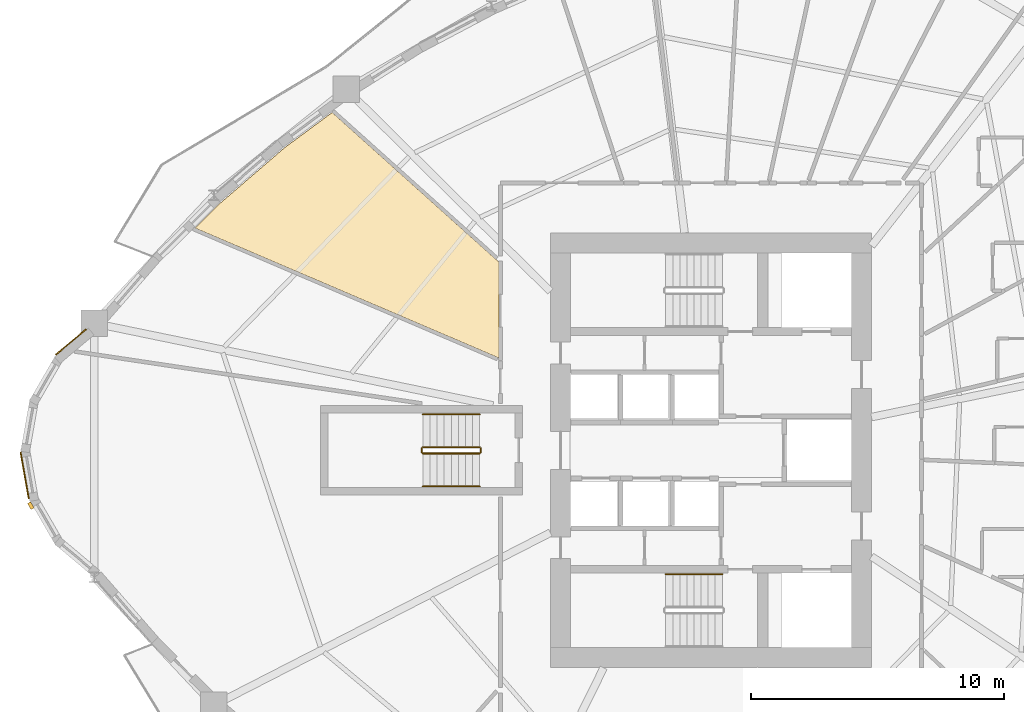
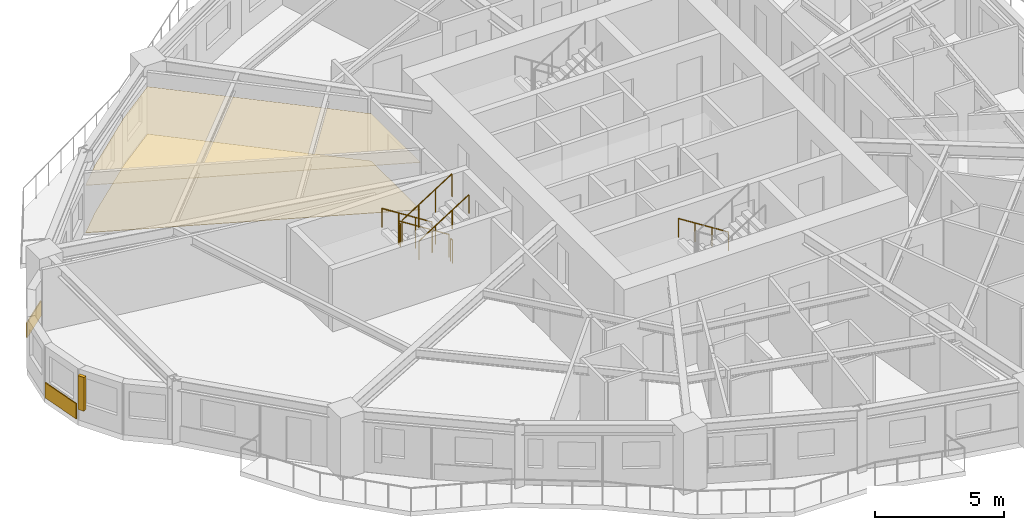
# One storey, part 11 of 14: 7 railings, 4 coverings, 1 shading device.
"""IFC4 building model written with IfcOpenShell, lengths in metres."""

from ifc_helpers import new_model, si_unit, direction, frame, origin, origin_2d, place, context, subcontext, project, spatial, polyline, rectangle, circle, outline, extrude, source, transform, mapped, material, layer, layer_set, type_object, element, save


model = new_model("IFC4")

# Units and contexts
model_context = context("Model", 3, precision=1e-05, world=origin(), true_north=direction((0.0, 1.0)))
body_context = subcontext(model_context, "Body", "Model", "MODEL_VIEW")
ifc_project = project(units=[si_unit("LENGTHUNIT", "METRE"), si_unit("AREAUNIT", "SQUARE_METRE"), si_unit("VOLUMEUNIT", "CUBIC_METRE"), si_unit("PLANEANGLEUNIT", "RADIAN"), si_unit("MASSUNIT", "GRAM", prefix="KILO")], contexts=[model_context])

# Site, building, storey
site_placement = place(None, origin())
site = spatial("IfcSite", under=ifc_project, at=site_placement, CompositionType="ELEMENT")
building_placement = place(site_placement, origin())
building = spatial("IfcBuilding", under=site, at=building_placement, Name="Qafzar Sky-Pleat Residences", CompositionType="ELEMENT")
storey_placement = place(building_placement, frame((0.0, 0.0, 17.39990234375)))
storey = spatial("IfcBuildingStorey", under=building, at=storey_placement, Name="L04", CompositionType="ELEMENT", Elevation=17.39990234375)

# Coverings
ifc_material_1 = material(Name="Perforated acoustic gypsum board ceiling")
ifc_layer_1 = layer(ifc_material_1, 0.02001953125)
ifc_layer_set_1 = layer_set([ifc_layer_1], Name="Perforated acoustic gypsum board ceiling")
covering_type_1 = type_object("IfcCoveringType", Name="COV-CEIL-ACOUSTIC", PredefinedType="CEILING", material=ifc_layer_set_1)
covering_1_placement = place(storey_placement, frame((0.0, 0.0, 2.239990234375)))
element("IfcCovering", 1, at=covering_1_placement, inside=storey, type_object=covering_type_1, Name="L04 Co-Living Lounge Acoustic Ceiling", PredefinedType="CEILING", context=body_context, shape_type="SweptSolid", body=[
    extrude(outline(polyline([(13.4970703125, 37.975830078125), (15.369140625, 39.361328125), (21.9599609375, 33.447509765625), (21.9599609375, 29.652587890625), (9.95361328125, 34.7861328125), (10.96240234375, 35.79150390625), (13.4970703125, 37.975830078125)])), origin(), (0.0, 0.0, 1.0), 0.02001953125),
])
ifc_material_2 = material(Name="Honed porcelain and Riyadh stone tile flooring", Category="masonry")
ifc_layer_2 = layer(ifc_material_2, 0.02001953125)
ifc_layer_set_2 = layer_set([ifc_layer_2], Name="Honed porcelain and Riyadh stone tile flooring")
covering_type_2 = type_object("IfcCoveringType", Name="COV-FLR-PORCELAIN", PredefinedType="FLOORING", material=ifc_layer_set_2)
covering_2_placement = place(storey_placement, origin())
element("IfcCovering", 2, at=covering_2_placement, inside=storey, type_object=covering_type_2, Name="L04 Co-Living Lounge Honed Stone Flooring", PredefinedType="FLOORING", context=body_context, shape_type="SweptSolid", body=[
    extrude(outline(polyline([(13.4970703125, 37.975830078125), (15.369140625, 39.361328125), (21.9599609375, 33.447509765625), (21.9599609375, 29.652587890625), (9.95361328125, 34.7861328125), (10.96240234375, 35.79150390625), (13.4970703125, 37.975830078125)])), origin(), (0.0, 0.0, 1.0), 0.02001953125),
])
ifc_material_3 = material(Name="Honed Riyadh Tuwaiq limestone cladding", Category="masonry")
ifc_layer_3 = layer(ifc_material_3, 0.044921875)
ifc_layer_set_3 = layer_set([ifc_layer_3], Name="Honed Riyadh Tuwaiq limestone cladding")
covering_type_3 = type_object("IfcCoveringType", Name="COV-CLAD-STONE", PredefinedType="CLADDING", material=ifc_layer_set_3)
shared_shape_1 = source(origin(), body_context, "Body", "SweptSolid", [
    extrude(rectangle(XDim=1.5771484375, YDim=0.044921875, at=origin_2d()), origin(), (0.0, 0.0, 1.0), 0.719970703125),
])
covering_3_placement = place(storey_placement, frame((5.039794921875, 30.28369140625, 0.02001953125), z_axis=(0.0, 0.0, 1.0), x_axis=(-0.766074606481, -0.642751660678, 0.0)))
element("IfcCovering", 3, at=covering_3_placement, inside=storey, type_object=covering_type_3, Name="L04 Riyadh Limestone Spandrel Cladding 1", PredefinedType="CLADDING", context=body_context, shape_type="MappedRepresentation", body=[
    mapped(shared_shape_1, transform((0.0, 0.0, 0.0), x_axis=(1.0, 0.0, 0.0), y_axis=(0.0, 1.0, 0.0), z_axis=(0.0, 0.0, 1.0), scale=1.0)),
])

# Shading device
ifc_material_4 = material(Name="Honed Riyadh limestone solar fin", Category="masonry")
ifc_layer_4 = layer(ifc_material_4, 0.139892578125)
ifc_layer_set_4 = layer_set([ifc_layer_4], Name="Honed Riyadh limestone solar fin")
shading_device_type = type_object("IfcShadingDeviceType", Name="SHD-FIN-STONE", PredefinedType="SHUTTER", material=ifc_layer_set_4)
shared_shape_2 = source(origin(), body_context, "Body", "SweptSolid", [
    extrude(rectangle(XDim=0.139892578125, YDim=0.280029296875, at=origin_2d()), origin(), (0.0, 0.0, 1.0), 1.60009765625),
])
shading_device_placement = place(storey_placement, frame((3.44970703125, 23.80859375, 0.60009765625), z_axis=(0.0, 0.0, 1.0), x_axis=(-0.86604422228, -0.499967403994, 0.0)))
element("IfcShadingDevice", 4, at=shading_device_placement, inside=storey, type_object=shading_device_type, Name="L04 Limestone Solar Fin 5", PredefinedType="SHUTTER", context=body_context, shape_type="MappedRepresentation", body=[
    mapped(shared_shape_2, transform((0.0, 0.0, 0.0), x_axis=(1.0, 0.0, 0.0), y_axis=(0.0, 1.0, 0.0), z_axis=(0.0, 0.0, 1.0), scale=1.0)),
])

# Covering
shared_shape_3 = source(origin(), body_context, "Body", "SweptSolid", [
    extrude(rectangle(XDim=1.88134765625, YDim=0.044921875, at=origin_2d()), origin(), (0.0, 0.0, 1.0), 0.719970703125),
])
covering_4_placement = place(storey_placement, frame((3.208251953125, 25.00439453125, 0.02001953125), z_axis=(0.0, 0.0, 1.0), x_axis=(0.173662519465, -0.984805224059, 0.0)))
element("IfcCovering", 5, at=covering_4_placement, inside=storey, type_object=covering_type_3, Name="L04 Riyadh Limestone Spandrel Cladding 4", PredefinedType="CLADDING", context=body_context, shape_type="MappedRepresentation", body=[
    mapped(shared_shape_3, transform((0.0, 0.0, 0.0), x_axis=(1.0, 0.0, 0.0), y_axis=(0.0, 1.0, 0.0), z_axis=(0.0, 0.0, 1.0), scale=1.0)),
])

# Railings
ifc_material_5 = material(Name="Painted Steel S355 stair guardrail", Category="steel")
railing_type_1 = type_object("IfcRailingType", Name="RAIL-STAIR-GUARD", PredefinedType="GUARDRAIL", material=ifc_material_5)
shared_shape_4 = source(origin(), body_context, "Body", "SweptSolid", [
    extrude(circle(Radius=0.02392578125, at=origin_2d()), frame((0.0, 0.0, 1.076171875), z_axis=(0.0, -1.0, 0.0), x_axis=(1.0, 0.0, 0.0)), (0.0, 0.0, 1.0), 0.14990234375),
    extrude(circle(Radius=0.02099609375, at=origin_2d()), origin(), (0.0, 0.0, 1.0), 1.052001953125),
    extrude(circle(Radius=0.02099609375, at=origin_2d()), frame((0.0, -0.14990234375, 0.0)), (0.0, 0.0, 1.0), 1.052001953125),
])
for number, where, name in (
    (6, (18.909912109375, 26.074951171875, 1.60009765625), "L04 ST3 stair guard 2"),
    (7, (21.25, 26.074951171875, 0.0), "L04 ST3 stair guard 4"),
):
    element("IfcRailing", number, at=place(storey_placement, frame(where)), inside=storey, type_object=railing_type_1, Name=name, PredefinedType="GUARDRAIL", context=body_context, shape_type="MappedRepresentation", body=[
        mapped(shared_shape_4, transform((0.0, 0.0, 0.0), x_axis=(1.0, 0.0, 0.0), y_axis=(0.0, 1.0, 0.0), z_axis=(0.0, 0.0, 1.0), scale=1.0)),
    ])
shared_shape_5 = source(origin(), body_context, "Body", "SweptSolid", [
    extrude(circle(Radius=0.02392578125, at=origin_2d()), frame((0.0, 0.0, 1.076171875), z_axis=(-0.8442293374, 0.0, 0.53598211339), x_axis=(0.0, -1.0, 0.0)), (0.0, 0.0, 1.0), 2.6533203125),
    extrude(circle(Radius=0.02099609375, at=origin_2d()), origin(), (0.0, 0.0, 1.0), 1.052001953125),
    extrude(circle(Radius=0.02099609375, at=origin_2d()), frame((-0.74658203125, 0.0, 0.47412109375)), (0.0, 0.0, 1.0), 1.052001953125),
    extrude(circle(Radius=0.02099609375, at=origin_2d()), frame((-1.493408203125, 0.0, 0.947998046875)), (0.0, 0.0, 1.0), 1.052001953125),
    extrude(circle(Radius=0.02099609375, at=origin_2d()), frame((-2.239990234375, 0.0, 1.422119140625)), (0.0, 0.0, 1.0), 1.052001953125),
])
railing_1_placement = place(storey_placement, frame((21.199951171875, 26.125, 0.177978515625)))
element("IfcRailing", 8, at=railing_1_placement, inside=storey, type_object=railing_type_1, Name="L04 ST3 stair guard 1", PredefinedType="GUARDRAIL", context=body_context, shape_type="MappedRepresentation", body=[
    mapped(shared_shape_5, transform((0.0, 0.0, 0.0), x_axis=(1.0, 0.0, 0.0), y_axis=(0.0, 1.0, 0.0), z_axis=(0.0, 0.0, 1.0), scale=1.0)),
])
ifc_material_6 = material(Name="Brushed stainless steel handrail", Category="steel")
railing_type_2 = type_object("IfcRailingType", Name="RAIL-STAIR-HAND", PredefinedType="HANDRAIL", material=ifc_material_6)
shared_shape_6 = source(origin(), body_context, "Body", "SweptSolid", [
    extrude(circle(Radius=0.02392578125, at=origin_2d()), frame((0.0, 0.0, 0.8759765625), z_axis=(-0.8442293374, 0.0, 0.53598211339), x_axis=(0.0, -1.0, 0.0)), (0.0, 0.0, 1.0), 2.6533203125),
    extrude(circle(Radius=0.02099609375, at=origin_2d()), origin(), (0.0, 0.0, 1.0), 0.851806640625),
    extrude(circle(Radius=0.02099609375, at=origin_2d()), frame((-0.74658203125, 0.0, 0.47412109375)), (0.0, 0.0, 1.0), 0.851806640625),
    extrude(circle(Radius=0.02099609375, at=origin_2d()), frame((-1.493408203125, 0.0, 0.947998046875)), (0.0, 0.0, 1.0), 0.851806640625),
    extrude(circle(Radius=0.02099609375, at=origin_2d()), frame((-2.239990234375, 0.0, 1.422119140625)), (0.0, 0.0, 1.0), 0.851806640625),
])
for number, where, name in (
    (9, (30.800048828125, 21.10009765625, 0.177978515625), "L04 ST1 stair handrail 1"),
    (10, (21.199951171875, 27.425048828125, 0.177978515625), "L04 ST3 stair handrail 1"),
):
    element("IfcRailing", number, at=place(storey_placement, frame(where)), inside=storey, type_object=railing_type_2, Name=name, PredefinedType="HANDRAIL", context=body_context, shape_type="MappedRepresentation", body=[
        mapped(shared_shape_6, transform((0.0, 0.0, 0.0), x_axis=(1.0, 0.0, 0.0), y_axis=(0.0, 1.0, 0.0), z_axis=(0.0, 0.0, 1.0), scale=1.0)),
    ])
shared_shape_7 = source(origin(), body_context, "Body", "SweptSolid", [
    extrude(circle(Radius=0.02392578125, at=origin_2d()), frame((0.0, 0.0, 1.076171875), z_axis=(0.84418770128, 0.0, 0.536047689118), x_axis=(0.0, 1.0, 0.0)), (0.0, 0.0, 1.0), 2.6533203125),
    extrude(circle(Radius=0.02099609375, at=origin_2d()), origin(), (0.0, 0.0, 1.0), 1.052001953125),
    extrude(circle(Radius=0.02099609375, at=origin_2d()), frame((0.74658203125, 0.0, 0.47412109375)), (0.0, 0.0, 1.0), 1.052001953125),
    extrude(circle(Radius=0.02099609375, at=origin_2d()), frame((1.493408203125, 0.0, 0.9482421875)), (0.0, 0.0, 1.0), 1.052001953125),
    extrude(circle(Radius=0.02099609375, at=origin_2d()), frame((2.239990234375, 0.0, 1.42236328125)), (0.0, 0.0, 1.0), 1.052001953125),
])
railing_2_placement = place(storey_placement, frame((18.9599609375, 25.875, 1.77783203125)))
element("IfcRailing", 11, at=railing_2_placement, inside=storey, type_object=railing_type_1, Name="L04 ST3 stair guard 3", PredefinedType="GUARDRAIL", context=body_context, shape_type="MappedRepresentation", body=[
    mapped(shared_shape_7, transform((0.0, 0.0, 0.0), x_axis=(1.0, 0.0, 0.0), y_axis=(0.0, 1.0, 0.0), z_axis=(0.0, 0.0, 1.0), scale=1.0)),
])
shared_shape_8 = source(origin(), body_context, "Body", "SweptSolid", [
    extrude(circle(Radius=0.02392578125, at=origin_2d()), frame((0.0, 0.0, 0.8759765625), z_axis=(0.84418770128, 0.0, 0.536047689118), x_axis=(0.0, 1.0, 0.0)), (0.0, 0.0, 1.0), 2.6533203125),
    extrude(circle(Radius=0.02099609375, at=origin_2d()), origin(), (0.0, 0.0, 1.0), 0.851806640625),
    extrude(circle(Radius=0.02099609375, at=origin_2d()), frame((0.74658203125, 0.0, 0.47412109375)), (0.0, 0.0, 1.0), 0.851806640625),
    extrude(circle(Radius=0.02099609375, at=origin_2d()), frame((1.493408203125, 0.0, 0.9482421875)), (0.0, 0.0, 1.0), 0.851806640625),
    extrude(circle(Radius=0.02099609375, at=origin_2d()), frame((2.239990234375, 0.0, 1.42236328125)), (0.0, 0.0, 1.0), 0.851806640625),
])
railing_3_placement = place(storey_placement, frame((18.9599609375, 24.574951171875, 1.77783203125)))
element("IfcRailing", 12, at=railing_3_placement, inside=storey, type_object=railing_type_2, Name="L04 ST3 stair handrail 2", PredefinedType="HANDRAIL", context=body_context, shape_type="MappedRepresentation", body=[
    mapped(shared_shape_8, transform((0.0, 0.0, 0.0), x_axis=(1.0, 0.0, 0.0), y_axis=(0.0, 1.0, 0.0), z_axis=(0.0, 0.0, 1.0), scale=1.0)),
])

save(model, "model.ifc")
